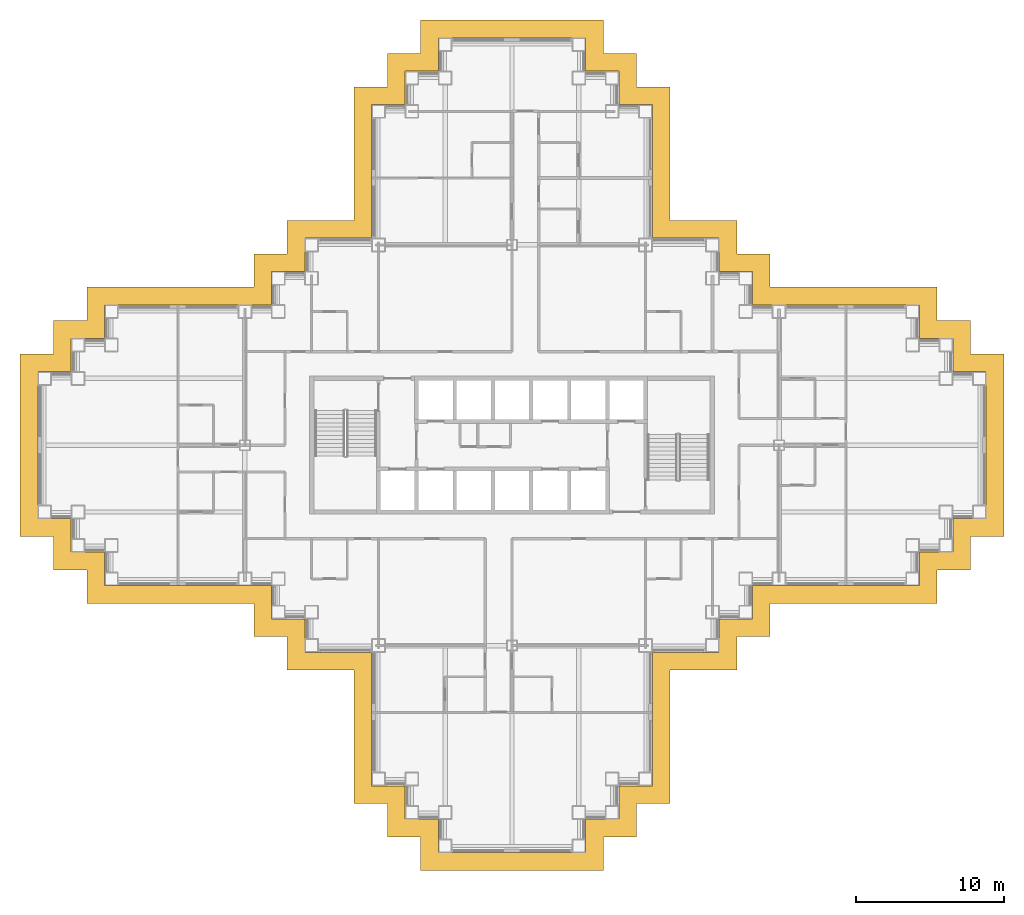
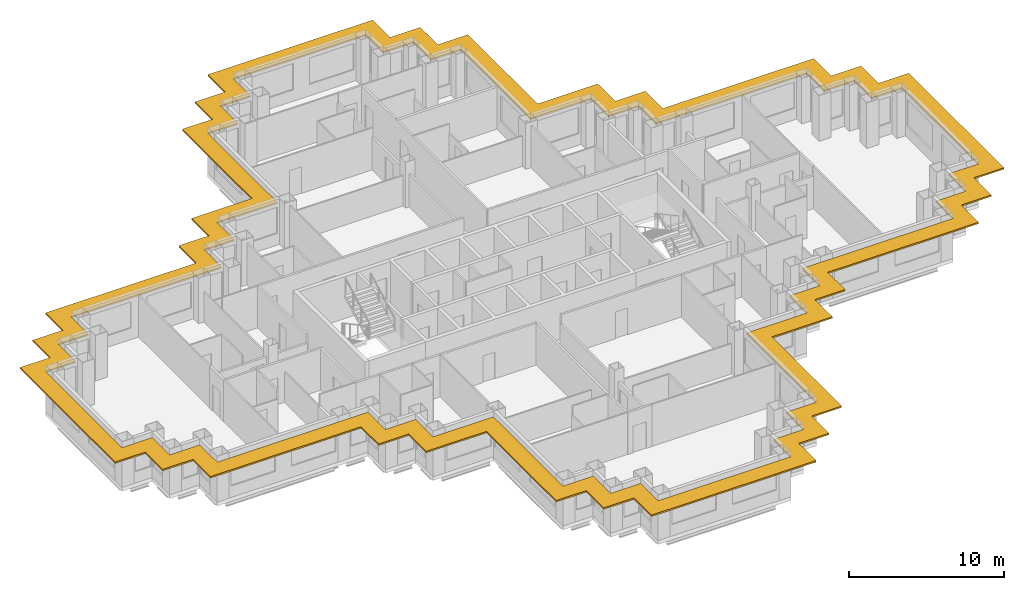
# One storey, part 13 of 14: 1 shading device.
"""IFC4 building model written with IfcOpenShell, lengths in metres."""

from ifc_helpers import new_model, si_unit, direction, frame, origin, place, context, subcontext, project, spatial, polyline, outline, extrude, material, layer, layer_set, type_object, element, save


model = new_model("IFC4")

# Units and contexts
model_context = context("Model", 3, precision=1e-05, world=origin(), true_north=direction((0.0, 1.0)))
body_context = subcontext(model_context, "Body", "Model", "MODEL_VIEW")
ifc_project = project(units=[si_unit("LENGTHUNIT", "METRE"), si_unit("AREAUNIT", "SQUARE_METRE"), si_unit("VOLUMEUNIT", "CUBIC_METRE"), si_unit("PLANEANGLEUNIT", "RADIAN"), si_unit("MASSUNIT", "GRAM", prefix="KILO")], contexts=[model_context])

# Site, building, storey
site_placement = place(None, origin())
site = spatial("IfcSite", under=ifc_project, at=site_placement, CompositionType="ELEMENT")
building_placement = place(site_placement, origin())
building = spatial("IfcBuilding", under=site, at=building_placement, Name="Caravel Reach Hotel and Residences", CompositionType="ELEMENT")
storey_placement = place(building_placement, frame((0.0, 0.0, 118.800048828125)))
storey = spatial("IfcBuildingStorey", under=building, at=storey_placement, Name="L29", CompositionType="ELEMENT", Elevation=118.800048828125)

# Shading device
ifc_material = material(Name="Black powder-coated aluminium", Category="aluminium")
ifc_layer = layer(ifc_material, 0.1201171875)
ifc_layer_set = layer_set([ifc_layer], Name="SS1 Sunshade band 1200")
shading_device_type = type_object("IfcShadingDeviceType", Name="SS1 Sunshade band 1200", PredefinedType="USERDEFINED", material=ifc_layer_set)
shading_device_placement = place(storey_placement, frame((0.0, 0.0, 3.0400390625)))
element("IfcShadingDevice", 1, at=shading_device_placement, inside=storey, type_object=shading_device_type, Name="Sunshade L29 1", ObjectType="SUNSHADE", PredefinedType="USERDEFINED", context=body_context, shape_type="SweptSolid", body=[
    extrude(outline(polyline([(20.85009765625, 11.85009765625), (20.85009765625, 2.85009765625), (23.10009765625, 2.85009765625), (23.10009765625, 0.60009765625), (25.35009765625, 0.60009765625), (25.35009765625, -1.64990234375), (37.64990234375, -1.64990234375), (37.64990234375, 0.60009765625), (39.89990234375, 0.60009765625), (39.89990234375, 2.85009765625), (42.14990234375, 2.85009765625), (42.14990234375, 11.85009765625), (46.64990234375, 11.85009765625), (46.64990234375, 14.10009765625), (48.89990234375, 14.10009765625), (48.89990234375, 16.35009765625), (60.14990234375, 16.35009765625), (60.14990234375, 18.60009765625), (62.39990234375, 18.60009765625), (62.39990234375, 20.85009765625), (64.64990234375, 20.85009765625), (64.64990234375, 33.14990234375), (62.39990234375, 33.14990234375), (62.39990234375, 35.39990234375), (60.14990234375, 35.39990234375), (60.14990234375, 37.64990234375), (48.89990234375, 37.64990234375), (48.89990234375, 39.89990234375), (46.64990234375, 39.89990234375), (46.64990234375, 42.14990234375), (42.14990234375, 42.14990234375), (42.14990234375, 51.14990234375), (39.89990234375, 51.14990234375), (39.89990234375, 53.39990234375), (37.64990234375, 53.39990234375), (37.64990234375, 55.64990234375), (25.35009765625, 55.64990234375), (25.35009765625, 53.39990234375), (23.10009765625, 53.39990234375), (23.10009765625, 51.14990234375), (20.85009765625, 51.14990234375), (20.85009765625, 42.14990234375), (16.35009765625, 42.14990234375), (16.35009765625, 39.89990234375), (14.10009765625, 39.89990234375), (14.10009765625, 37.64990234375), (2.85009765625, 37.64990234375), (2.85009765625, 35.39990234375), (0.60009765625, 35.39990234375), (0.60009765625, 33.14990234375), (-1.64990234375, 33.14990234375), (-1.64990234375, 20.85009765625), (0.60009765625, 20.85009765625), (0.60009765625, 18.60009765625), (2.85009765625, 18.60009765625), (2.85009765625, 16.35009765625), (14.10009765625, 16.35009765625), (14.10009765625, 14.10009765625), (16.35009765625, 14.10009765625), (16.35009765625, 11.85009765625), (20.85009765625, 11.85009765625)]), holes=[polyline([(24.300048828125, 4.050048828125), (22.050048828125, 4.050048828125), (22.050048828125, 13.050048828125), (17.550048828125, 13.050048828125), (17.550048828125, 15.300048828125), (15.300048828125, 15.300048828125), (15.300048828125, 17.550048828125), (4.050048828125, 17.550048828125), (4.050048828125, 19.800048828125), (1.800048828125, 19.800048828125), (1.800048828125, 22.050048828125), (-0.449951171875, 22.050048828125), (-0.449951171875, 31.949951171875), (1.800048828125, 31.949951171875), (1.800048828125, 34.199951171875), (4.050048828125, 34.199951171875), (4.050048828125, 36.449951171875), (15.300048828125, 36.449951171875), (15.300048828125, 38.699951171875), (17.550048828125, 38.699951171875), (17.550048828125, 40.949951171875), (22.050048828125, 40.949951171875), (22.050048828125, 49.949951171875), (24.300048828125, 49.949951171875), (24.300048828125, 52.199951171875), (26.550048828125, 52.199951171875), (26.550048828125, 54.449951171875), (36.449951171875, 54.449951171875), (36.449951171875, 52.199951171875), (38.699951171875, 52.199951171875), (38.699951171875, 49.949951171875), (40.949951171875, 49.949951171875), (40.949951171875, 40.949951171875), (45.449951171875, 40.949951171875), (45.449951171875, 38.699951171875), (47.699951171875, 38.699951171875), (47.699951171875, 36.449951171875), (58.949951171875, 36.449951171875), (58.949951171875, 34.199951171875), (61.199951171875, 34.199951171875), (61.199951171875, 31.949951171875), (63.449951171875, 31.949951171875), (63.449951171875, 22.050048828125), (61.199951171875, 22.050048828125), (61.199951171875, 19.800048828125), (58.949951171875, 19.800048828125), (58.949951171875, 17.550048828125), (47.699951171875, 17.550048828125), (47.699951171875, 15.300048828125), (45.449951171875, 15.300048828125), (45.449951171875, 13.050048828125), (40.949951171875, 13.050048828125), (40.949951171875, 4.050048828125), (38.699951171875, 4.050048828125), (38.699951171875, 1.800048828125), (36.449951171875, 1.800048828125), (36.449951171875, -0.449951171875), (26.550048828125, -0.449951171875), (26.550048828125, 1.800048828125), (24.300048828125, 1.800048828125), (24.300048828125, 4.050048828125)])]), origin(), (0.0, 0.0, 1.0), 0.119873046875),
])

save(model, "model.ifc")
